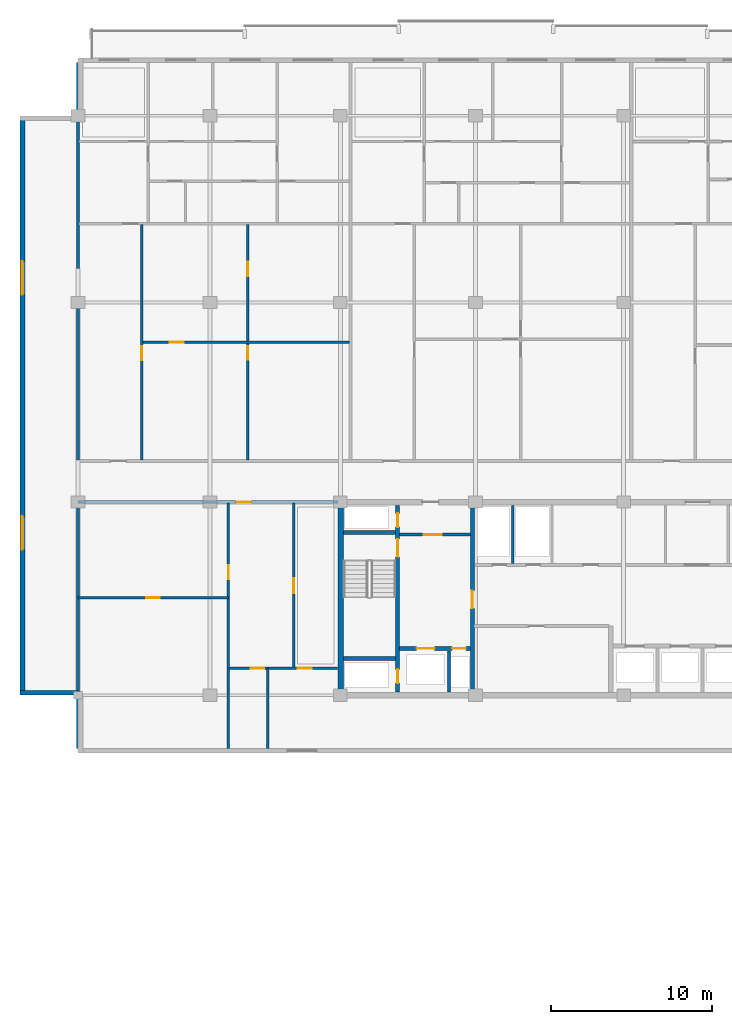
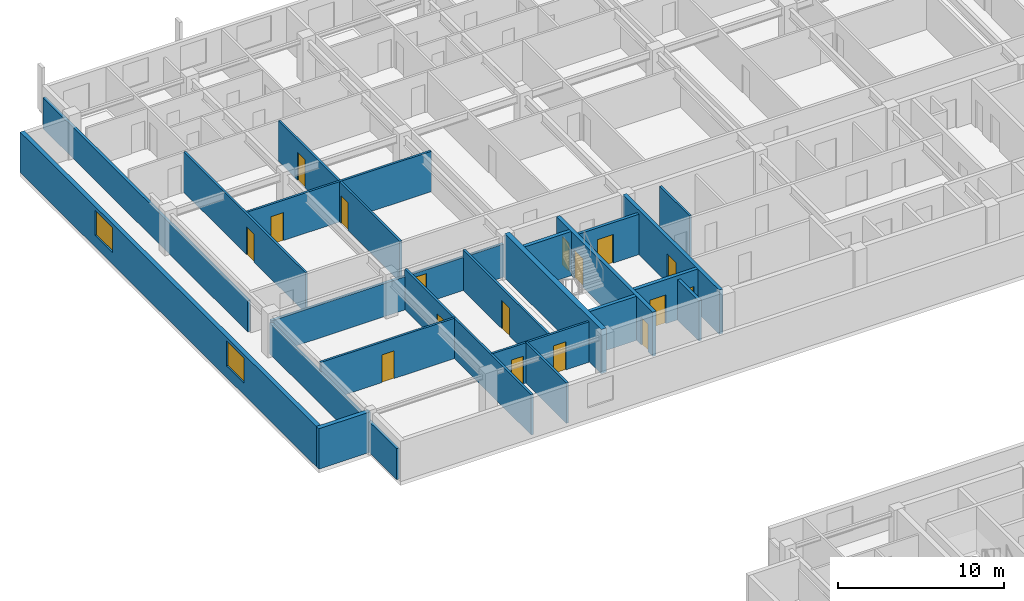
# One storey, part 11 of 24: 22 walls, 17 doors, 2 windows, 19 openings.
"""IFC4 building model written with IfcOpenShell, lengths in metres."""

from ifc_helpers import new_model, si_unit, direction, frame, frame_2d, origin, place, context, subcontext, project, spatial, rectangle, extrude, material, layer, layer_set, type_object, element, fill, save


model = new_model("IFC4")

# Units and contexts
model_context = context("Model", 3, precision=1e-05, world=origin(), true_north=direction((0.0, 1.0)))
body_context = subcontext(model_context, "Body", "Model", "MODEL_VIEW")
ifc_project = project(units=[si_unit("LENGTHUNIT", "METRE"), si_unit("AREAUNIT", "SQUARE_METRE"), si_unit("VOLUMEUNIT", "CUBIC_METRE"), si_unit("PLANEANGLEUNIT", "RADIAN"), si_unit("MASSUNIT", "GRAM", prefix="KILO")], contexts=[model_context])

# Site, building, storey
site_placement = place(None, origin())
site = spatial("IfcSite", under=ifc_project, at=site_placement, CompositionType="ELEMENT")
building_placement = place(site_placement, origin())
building = spatial("IfcBuilding", under=site, at=building_placement, Name="Korimba Cascade Residences", CompositionType="ELEMENT")
storey_placement = place(building_placement, frame((0.0, 0.0, 168.60009765625)))
storey = spatial("IfcBuildingStorey", under=building, at=storey_placement, Name="L48", CompositionType="ELEMENT", Elevation=168.60009765625)

# Wall, openings, windows
ifc_material_1 = material(Name="Precast concrete C40/50", Category="concrete")
ifc_layer_1 = layer(ifc_material_1, 0.300048828125)
ifc_layer_set_1 = layer_set([ifc_layer_1], Name="Precast concrete C40/50")
wall_type_1 = type_object("IfcWallType", Name="EW-STONE-300", PredefinedType="STANDARD", material=ifc_layer_set_1)
wall_1_placement = place(storey_placement, frame((56.35009765625, 91.199951171875, 0.0), z_axis=(0.0, 0.0, 1.0), x_axis=(0.0, -1.0, 0.0)))
wall_1 = element("IfcWall", 1, at=wall_1_placement, inside=storey, type_object=wall_type_1, Name="L48 T1 Perimeter Stone Wall E09", PredefinedType="STANDARD", context=body_context, shape_type="SweptSolid", body=[
    extrude(rectangle(XDim=36.0, YDim=0.300048828125, at=frame_2d((18.0, 0.0))), origin(), (0.0, 0.0, 1.0), 2.969970703125),
])
opening_1_placement = place(wall_1_placement, frame((9.030029296875, 0.0, 0.85009765625)))
opening_1 = element("IfcOpeningElement", 2, at=opening_1_placement, cuts=wall_1, Name="Opening W-03", PredefinedType="OPENING", context=body_context, shape_type="SweptSolid", body=[
    extrude(rectangle(XDim=2.10009765625, YDim=1.85009765625, at=frame_2d((1.050048828125, 0.925048828125))), frame((0.0, 0.16015625, 0.0), z_axis=(0.0, -1.0, 0.0), x_axis=(1.0, 0.0, 0.0)), (0.0, 0.0, 1.0), 0.320068359375),
])
opening_2_placement = place(wall_1_placement, frame((24.8701171875, 0.0, 0.85009765625)))
opening_2 = element("IfcOpeningElement", 3, at=opening_2_placement, cuts=wall_1, Name="Opening W-03", PredefinedType="OPENING", context=body_context, shape_type="SweptSolid", body=[
    extrude(rectangle(XDim=2.10009765625, YDim=1.85009765625, at=frame_2d((1.050048828125, 0.925048828125))), frame((0.0, 0.16015625, 0.0), z_axis=(0.0, -1.0, 0.0), x_axis=(1.0, 0.0, 0.0)), (0.0, 0.0, 1.0), 0.320068359375),
])
ifc_material_2 = material(Name="Double-Glazed Aluminium Window", Category="aluminium")
window_type = type_object("IfcWindowType", Name="WIN-CRN-2100", PartitioningType="DOUBLE_PANEL_HORIZONTAL", PredefinedType="WINDOW", material=ifc_material_2)
window_1_placement = place(opening_1_placement, origin())
window_1 = element("IfcWindow", 4, at=window_1_placement, inside=storey, type_object=window_type, Name="L48 T1 End View Window 9.1", OverallHeight=1.85009765625, OverallWidth=2.10009765625, PartitioningType="DOUBLE_PANEL_HORIZONTAL", PredefinedType="WINDOW", context=body_context, shape_type="SweptSolid", body=[
    extrude(rectangle(XDim=2.10009765625, YDim=1.85009765625, at=frame_2d((1.050048828125, 0.925048828125))), frame((0.0, 0.030029296875, 0.0), z_axis=(0.0, -1.0, 0.0), x_axis=(1.0, 0.0, 0.0)), (0.0, 0.0, 1.0), 0.06005859375),
])
fill(opening_1, window_1)
window_2_placement = place(opening_2_placement, origin())
window_2 = element("IfcWindow", 5, at=window_2_placement, inside=storey, type_object=window_type, Name="L48 T1 End View Window 9.2", OverallHeight=1.85009765625, OverallWidth=2.10009765625, PartitioningType="DOUBLE_PANEL_HORIZONTAL", PredefinedType="WINDOW", context=body_context, shape_type="SweptSolid", body=[
    extrude(rectangle(XDim=2.10009765625, YDim=1.85009765625, at=frame_2d((1.050048828125, 0.925048828125))), frame((0.0, 0.030029296875, 0.0), z_axis=(0.0, -1.0, 0.0), x_axis=(1.0, 0.0, 0.0)), (0.0, 0.0, 1.0), 0.06005859375),
])
fill(opening_2, window_2)

# Walls
wall_2_placement = place(storey_placement, frame((56.199951171875, 55.35009765625, 0.0), z_axis=(0.0, 0.0, 1.0), x_axis=(1.0, 0.0, 0.0)))
element("IfcWall", 6, at=wall_2_placement, inside=storey, type_object=wall_type_1, Name="L48 T1 Perimeter Stone Wall E10", PredefinedType="STANDARD", context=body_context, shape_type="SweptSolid", body=[
    extrude(rectangle(XDim=3.60009765625, YDim=0.300048828125, at=frame_2d((1.800048828125, 0.0))), origin(), (0.0, 0.0, 1.0), 2.969970703125),
])
ifc_material_3 = material(Name="Concrete C65/80", Category="concrete")
ifc_layer_2 = layer(ifc_material_3, 0.35009765625)
ifc_layer_set_2 = layer_set([ifc_layer_2], Name="Concrete C65/80")
wall_type_2 = type_object("IfcWallType", Name="WAL-CORE-350", PredefinedType="SHEAR", material=ifc_layer_set_2)
wall_3_placement = place(storey_placement, frame((76.125, 55.375, 0.0), z_axis=(0.0, 0.0, 1.0), x_axis=(0.0, 1.0, 0.0)))
element("IfcWall", 7, at=wall_3_placement, inside=storey, type_object=wall_type_2, Name="L48 Core Shear Wall CW-L48-T1-W", PredefinedType="SHEAR", context=body_context, shape_type="SweptSolid", body=[
    extrude(rectangle(XDim=11.64990234375, YDim=0.35009765625, at=frame_2d((5.824951171875, 0.0))), origin(), (0.0, 0.0, 1.0), 3.25),
])
ifc_layer_3 = layer(ifc_material_1, 0.199951171875)
ifc_layer_set_3 = layer_set([ifc_layer_3], Name="Precast concrete C40/50")
wall_type_3 = type_object("IfcWallType", Name="WAL-IT-200", PredefinedType="PARTITIONING", material=ifc_layer_set_3)
wall_4_placement = place(storey_placement, frame((59.800048828125, 51.89990234375, 0.0), z_axis=(0.0, 0.0, 1.0), x_axis=(0.0, 1.0, 0.0)))
element("IfcWall", 8, at=wall_4_placement, inside=storey, type_object=wall_type_3, Name="L48 Partition Wall WAL-L48-T1-FW-WL", PredefinedType="PARTITIONING", context=body_context, shape_type="SweptSolid", body=[
    extrude(rectangle(XDim=15.300048828125, YDim=0.199951171875, at=frame_2d((7.64990234375, 0.0))), origin(), (0.0, 0.0, 1.0), 2.277099609375),
])

# Wall, opening, door
wall_5_placement = place(storey_placement, frame((59.800048828125, 67.199951171875, 0.0), z_axis=(0.0, 0.0, 1.0), x_axis=(1.0, 0.0, 0.0)))
wall_5 = element("IfcWall", 9, at=wall_5_placement, inside=storey, type_object=wall_type_3, Name="L48 Partition Wall WAL-L48-T1-FW-N", PredefinedType="PARTITIONING", context=body_context, shape_type="SweptSolid", body=[
    extrude(rectangle(XDim=16.14990234375, YDim=0.199951171875, at=frame_2d((8.074951171875, 0.0))), origin(), (0.0, 0.0, 1.0), 2.43310546875),
])
opening_3_placement = place(wall_5_placement, frame((9.823486328125, 0.0, 0.0)))
opening_3 = element("IfcOpeningElement", 10, at=opening_3_placement, cuts=wall_5, Name="Opening D-UN1", PredefinedType="OPENING", context=body_context, shape_type="SweptSolid", body=[
    extrude(rectangle(XDim=0.949951171875, YDim=2.14990234375, at=frame_2d((0.47509765625, 1.074951171875))), frame((0.0, 0.10986328125, 0.0), z_axis=(0.0, -1.0, 0.0), x_axis=(1.0, 0.0, 0.0)), (0.0, 0.0, 1.0), 0.219970703125),
])
ifc_material_4 = material(Name="Fire-Rated Hardwood Apartment Entrance Door", Category="wood")
door_type_1 = type_object("IfcDoorType", Name="DR-FD60-950", OperationType="NOTDEFINED", PredefinedType="DOOR", material=ifc_material_4)
door_1_placement = place(opening_3_placement, origin())
door_1 = element("IfcDoor", 11, at=door_1_placement, inside=storey, type_object=door_type_1, Name="L48-T1-FW Entrance Door", OperationType="SINGLE_SWING_LEFT", OverallHeight=2.14990234375, OverallWidth=0.949951171875, PredefinedType="DOOR", context=body_context, shape_type="SweptSolid", body=[
    extrude(rectangle(XDim=0.949951171875, YDim=2.14990234375, at=frame_2d((0.47509765625, 1.074951171875))), frame((0.0, 0.02490234375, 0.0), z_axis=(0.0, -1.0, 0.0), x_axis=(1.0, 0.0, 0.0)), (0.0, 0.0, 1.0), 0.050048828125),
])
fill(opening_3, door_1)

# Walls
wall_6_placement = place(storey_placement, frame((59.800048828125, 69.830078125, 0.0), z_axis=(0.0, 0.0, 1.0), x_axis=(0.0, 1.0, 0.0)))
element("IfcWall", 12, at=wall_6_placement, inside=storey, type_object=wall_type_3, Name="L48 Partition Wall WAL-L48-T1-BNDWL", PredefinedType="PARTITIONING", context=body_context, shape_type="SweptSolid", body=[
    extrude(rectangle(XDim=24.669921875, YDim=0.199951171875, at=frame_2d((12.3349609375, 0.0))), origin(), (0.0, 0.0, 1.0), 2.277099609375),
])
ifc_material_5 = material(Name="Insulated Acoustic Stud Partition", Category="gypsum")
ifc_layer_4 = layer(ifc_material_5, 0.14990234375)
ifc_layer_set_4 = layer_set([ifc_layer_4], Name="Insulated Acoustic Stud Partition")
wall_type_4 = type_object("IfcWallType", Name="WAL-PART-150", PredefinedType="PARTITIONING", material=ifc_layer_set_4)
wall_7_placement = place(storey_placement, frame((86.800048828125, 63.39990234375, 0.0), z_axis=(0.0, 0.0, 1.0), x_axis=(0.0, 1.0, 0.0)))
element("IfcWall", 13, at=wall_7_placement, inside=storey, type_object=wall_type_4, Name="L48 Partition Wall CW-L48-T1-ERDIV", PredefinedType="PARTITIONING", context=body_context, shape_type="SweptSolid", body=[
    extrude(rectangle(XDim=3.60009765625, YDim=0.14990234375, at=frame_2d((1.800048828125, 0.0))), origin(), (0.0, 0.0, 1.0), 2.969970703125),
])

# Wall, opening, door
wall_8_placement = place(storey_placement, frame((59.800048828125, 61.25, 0.0), z_axis=(0.0, 0.0, 1.0), x_axis=(1.0, 0.0, 0.0)))
wall_8 = element("IfcWall", 14, at=wall_8_placement, inside=storey, type_object=wall_type_4, Name="L48 Partition Wall WAL-L48-T1-FW-STH", PredefinedType="PARTITIONING", context=body_context, shape_type="SweptSolid", body=[
    extrude(rectangle(XDim=9.349853515625, YDim=0.14990234375, at=frame_2d((4.6748046875, 0.0))), origin(), (0.0, 0.0, 1.0), 2.969970703125),
])
opening_4_placement = place(wall_8_placement, frame((4.2548828125, 0.0, 0.0)))
opening_4 = element("IfcOpeningElement", 15, at=opening_4_placement, cuts=wall_8, Name="Opening D-BT1", PredefinedType="OPENING", context=body_context, shape_type="SweptSolid", body=[
    extrude(rectangle(XDim=0.840087890625, YDim=2.0400390625, at=frame_2d((0.419921875, 1.02001953125))), frame((0.0, 0.0849609375, 0.0), z_axis=(0.0, -1.0, 0.0), x_axis=(1.0, 0.0, 0.0)), (0.0, 0.0, 1.0), 0.169921875),
])
ifc_material_6 = material(Name="Moisture-Resistant Bathroom Timber Door", Category="wood")
door_type_2 = type_object("IfcDoorType", Name="DR-INT-850", OperationType="NOTDEFINED", PredefinedType="DOOR", material=ifc_material_6)
door_2_placement = place(opening_4_placement, origin())
door_2 = element("IfcDoor", 16, at=door_2_placement, inside=storey, type_object=door_type_2, Name="L48-T1-FW Dressing Store Door", OperationType="SINGLE_SWING_RIGHT", OverallHeight=2.0400390625, OverallWidth=0.840087890625, PredefinedType="DOOR", context=body_context, shape_type="SweptSolid", body=[
    extrude(rectangle(XDim=0.840087890625, YDim=2.0400390625, at=frame_2d((0.419921875, 1.02001953125))), frame((0.0, 0.02490234375, 0.0), z_axis=(0.0, -1.0, 0.0), x_axis=(1.0, 0.0, 0.0)), (0.0, 0.0, 1.0), 0.050048828125),
])
fill(opening_4, door_2)

wall_9_placement = place(storey_placement, frame((69.14990234375, 51.89990234375, 0.0), z_axis=(0.0, 0.0, 1.0), x_axis=(0.0, 1.0, 0.0)))
wall_9 = element("IfcWall", 17, at=wall_9_placement, inside=storey, type_object=wall_type_4, Name="L48 Partition Wall WAL-L48-T1-FW-STV", PredefinedType="PARTITIONING", context=body_context, shape_type="SweptSolid", body=[
    extrude(rectangle(XDim=15.25, YDim=0.14990234375, at=frame_2d((7.625, 0.0))), origin(), (0.0, 0.0, 1.0), 2.969970703125),
])
opening_5_placement = place(wall_9_placement, frame((10.5, 0.0, 0.0)))
opening_5 = element("IfcOpeningElement", 18, at=opening_5_placement, cuts=wall_9, Name="Opening D-IN2", PredefinedType="OPENING", context=body_context, shape_type="SweptSolid", body=[
    extrude(rectangle(XDim=0.8798828125, YDim=2.06005859375, at=frame_2d((0.43994140625, 1.030029296875))), frame((0.0, 0.0849609375, 0.0), z_axis=(0.0, -1.0, 0.0), x_axis=(1.0, 0.0, 0.0)), (0.0, 0.0, 1.0), 0.169921875),
])
ifc_material_7 = material(Name="Acoustic Timber Bedroom Door", Category="wood")
door_type_3 = type_object("IfcDoorType", Name="DR-INT-880", OperationType="NOTDEFINED", PredefinedType="DOOR", material=ifc_material_7)
door_3_placement = place(opening_5_placement, origin())
door_3 = element("IfcDoor", 19, at=door_3_placement, inside=storey, type_object=door_type_3, Name="L48-T1-FW Study Door", OperationType="SINGLE_SWING_LEFT", OverallHeight=2.06005859375, OverallWidth=0.8798828125, PredefinedType="DOOR", context=body_context, shape_type="SweptSolid", body=[
    extrude(rectangle(XDim=0.8798828125, YDim=2.06005859375, at=frame_2d((0.43994140625, 1.030029296875))), frame((0.0, 0.02490234375, 0.0), z_axis=(0.0, -1.0, 0.0), x_axis=(1.0, 0.0, 0.0)), (0.0, 0.0, 1.0), 0.050048828125),
])
fill(opening_5, door_3)

wall_10_placement = place(storey_placement, frame((73.199951171875, 56.8701171875, 0.0), z_axis=(0.0, 0.0, 1.0), x_axis=(0.0, 1.0, 0.0)))
wall_10 = element("IfcWall", 20, at=wall_10_placement, inside=storey, type_object=wall_type_4, Name="L48 Partition Wall WAL-L48-T1-FW-VN", PredefinedType="PARTITIONING", context=body_context, shape_type="SweptSolid", body=[
    extrude(rectangle(XDim=10.27978515625, YDim=0.14990234375, at=frame_2d((5.139892578125, 0.0))), origin(), (0.0, 0.0, 1.0), 2.969970703125),
])
opening_6_placement = place(wall_10_placement, frame((4.679931640625, 0.0, 0.0)))
opening_6 = element("IfcOpeningElement", 21, at=opening_6_placement, cuts=wall_10, Name="Opening D-IN1", PredefinedType="OPENING", context=body_context, shape_type="SweptSolid", body=[
    extrude(rectangle(XDim=0.919921875, YDim=2.080078125, at=frame_2d((0.4599609375, 1.0400390625))), frame((0.0, 0.0849609375, 0.0), z_axis=(0.0, -1.0, 0.0), x_axis=(1.0, 0.0, 0.0)), (0.0, 0.0, 1.0), 0.169921875),
])
ifc_material_8 = material(Name="Acoustic Timber Living Door", Category="wood")
door_type_4 = type_object("IfcDoorType", Name="DR-INT-920", OperationType="NOTDEFINED", PredefinedType="DOOR", material=ifc_material_8)
door_4_placement = place(opening_6_placement, origin())
door_4 = element("IfcDoor", 22, at=door_4_placement, inside=storey, type_object=door_type_4, Name="L48-T1-FW Living Door", OperationType="SINGLE_SWING_RIGHT", OverallHeight=2.080078125, OverallWidth=0.919921875, PredefinedType="DOOR", context=body_context, shape_type="SweptSolid", body=[
    extrude(rectangle(XDim=0.919921875, YDim=2.080078125, at=frame_2d((0.4599609375, 1.0400390625))), frame((0.0, 0.02490234375, 0.0), z_axis=(0.0, -1.0, 0.0), x_axis=(1.0, 0.0, 0.0)), (0.0, 0.0, 1.0), 0.050048828125),
])
fill(opening_6, door_4)

# Wall
wall_11_placement = place(storey_placement, frame((71.60009765625, 51.89990234375, 0.0), z_axis=(0.0, 0.0, 1.0), x_axis=(0.0, 1.0, 0.0)))
element("IfcWall", 23, at=wall_11_placement, inside=storey, type_object=wall_type_4, Name="L48 Partition Wall WAL-L48-T1-FW-VS", PredefinedType="PARTITIONING", context=body_context, shape_type="SweptSolid", body=[
    extrude(rectangle(XDim=4.97021484375, YDim=0.14990234375, at=frame_2d((2.485107421875, 0.0))), origin(), (0.0, 0.0, 1.0), 2.969970703125),
])

# Wall, openings, doors
wall_12_placement = place(storey_placement, frame((69.169921875, 56.8701171875, 0.0), z_axis=(0.0, 0.0, 1.0), x_axis=(1.0, 0.0, 0.0)))
wall_12 = element("IfcWall", 24, at=wall_12_placement, inside=storey, type_object=wall_type_4, Name="L48 Partition Wall WAL-L48-T1-FW-H", PredefinedType="PARTITIONING", context=body_context, shape_type="SweptSolid", body=[
    extrude(rectangle(XDim=6.760009765625, YDim=0.14990234375, at=frame_2d((3.3798828125, 0.0))), origin(), (0.0, 0.0, 1.0), 2.969970703125),
])
opening_7_placement = place(wall_12_placement, frame((1.3623046875, 0.0, 0.0)))
opening_7 = element("IfcOpeningElement", 25, at=opening_7_placement, cuts=wall_12, Name="Opening D-BT1", PredefinedType="OPENING", context=body_context, shape_type="SweptSolid", body=[
    extrude(rectangle(XDim=0.840087890625, YDim=2.0400390625, at=frame_2d((0.419921875, 1.02001953125))), frame((0.0, 0.0849609375, 0.0), z_axis=(0.0, -1.0, 0.0), x_axis=(1.0, 0.0, 0.0)), (0.0, 0.0, 1.0), 0.169921875),
])
opening_8_placement = place(wall_12_placement, frame((4.276611328125, 0.0, 0.0)))
opening_8 = element("IfcOpeningElement", 26, at=opening_8_placement, cuts=wall_12, Name="Opening D-IN2", PredefinedType="OPENING", context=body_context, shape_type="SweptSolid", body=[
    extrude(rectangle(XDim=0.8798828125, YDim=2.06005859375, at=frame_2d((0.43994140625, 1.030029296875))), frame((0.0, 0.0849609375, 0.0), z_axis=(0.0, -1.0, 0.0), x_axis=(1.0, 0.0, 0.0)), (0.0, 0.0, 1.0), 0.169921875),
])
door_5_placement = place(opening_7_placement, origin())
door_5 = element("IfcDoor", 27, at=door_5_placement, inside=storey, type_object=door_type_2, Name="L48-T1-FW Bathroom Door", OperationType="SINGLE_SWING_LEFT", OverallHeight=2.0400390625, OverallWidth=0.840087890625, PredefinedType="DOOR", context=body_context, shape_type="SweptSolid", body=[
    extrude(rectangle(XDim=0.840087890625, YDim=2.0400390625, at=frame_2d((0.419921875, 1.02001953125))), frame((0.0, 0.02490234375, 0.0), z_axis=(0.0, -1.0, 0.0), x_axis=(1.0, 0.0, 0.0)), (0.0, 0.0, 1.0), 0.050048828125),
])
fill(opening_7, door_5)
door_6_placement = place(opening_8_placement, origin())
door_6 = element("IfcDoor", 28, at=door_6_placement, inside=storey, type_object=door_type_3, Name="L48-T1-FW Bedroom Door", OperationType="SINGLE_SWING_RIGHT", OverallHeight=2.06005859375, OverallWidth=0.8798828125, PredefinedType="DOOR", context=body_context, shape_type="SweptSolid", body=[
    extrude(rectangle(XDim=0.8798828125, YDim=2.06005859375, at=frame_2d((0.43994140625, 1.030029296875))), frame((0.0, 0.02490234375, 0.0), z_axis=(0.0, -1.0, 0.0), x_axis=(1.0, 0.0, 0.0)), (0.0, 0.0, 1.0), 0.050048828125),
])
fill(opening_8, door_6)

wall_13_placement = place(storey_placement, frame((70.342529296875, 69.81005859375, 0.0), z_axis=(0.0, 0.0, 1.0), x_axis=(0.0, 1.0, 0.0)))
wall_13 = element("IfcWall", 29, at=wall_13_placement, inside=storey, type_object=wall_type_4, Name="L48 Partition Wall WAL-L48-T1-U01-FMV", PredefinedType="PARTITIONING", context=body_context, shape_type="SweptSolid", body=[
    extrude(rectangle(XDim=14.64990234375, YDim=0.14990234375, at=frame_2d((7.324951171875, 0.0))), origin(), (0.0, 0.0, 1.0), 2.969970703125),
])
opening_9_placement = place(wall_13_placement, frame((6.235107421875, 0.0, 0.0)))
opening_9 = element("IfcOpeningElement", 30, at=opening_9_placement, cuts=wall_13, Name="Opening D-BT1", PredefinedType="OPENING", context=body_context, shape_type="SweptSolid", body=[
    extrude(rectangle(XDim=0.840087890625, YDim=2.0400390625, at=frame_2d((0.419921875, 1.02001953125))), frame((0.0, 0.0849609375, 0.0), z_axis=(0.0, -1.0, 0.0), x_axis=(1.0, 0.0, 0.0)), (0.0, 0.0, 1.0), 0.169921875),
])
opening_10_placement = place(wall_13_placement, frame((11.4326171875, 0.0, 0.0)))
opening_10 = element("IfcOpeningElement", 31, at=opening_10_placement, cuts=wall_13, Name="Opening D-IN2", PredefinedType="OPENING", context=body_context, shape_type="SweptSolid", body=[
    extrude(rectangle(XDim=0.8798828125, YDim=2.06005859375, at=frame_2d((0.43994140625, 1.030029296875))), frame((0.0, 0.0849609375, 0.0), z_axis=(0.0, -1.0, 0.0), x_axis=(1.0, 0.0, 0.0)), (0.0, 0.0, 1.0), 0.169921875),
])
door_7_placement = place(opening_9_placement, origin())
door_7 = element("IfcDoor", 32, at=door_7_placement, inside=storey, type_object=door_type_2, Name="L48-T1-U01 Wardrobe Door", OperationType="SINGLE_SWING_RIGHT", OverallHeight=2.0400390625, OverallWidth=0.840087890625, PredefinedType="DOOR", context=body_context, shape_type="SweptSolid", body=[
    extrude(rectangle(XDim=0.840087890625, YDim=2.0400390625, at=frame_2d((0.419921875, 1.02001953125))), frame((0.0, 0.02490234375, 0.0), z_axis=(0.0, -1.0, 0.0), x_axis=(1.0, 0.0, 0.0)), (0.0, 0.0, 1.0), 0.050048828125),
])
fill(opening_9, door_7)
door_8_placement = place(opening_10_placement, origin())
door_8 = element("IfcDoor", 33, at=door_8_placement, inside=storey, type_object=door_type_3, Name="L48-T1-U01 Music Lounge Door", OperationType="SINGLE_SWING_LEFT", OverallHeight=2.06005859375, OverallWidth=0.8798828125, PredefinedType="DOOR", context=body_context, shape_type="SweptSolid", body=[
    extrude(rectangle(XDim=0.8798828125, YDim=2.06005859375, at=frame_2d((0.43994140625, 1.030029296875))), frame((0.0, 0.02490234375, 0.0), z_axis=(0.0, -1.0, 0.0), x_axis=(1.0, 0.0, 0.0)), (0.0, 0.0, 1.0), 0.050048828125),
])
fill(opening_10, door_8)

# Wall, opening, door
wall_14_placement = place(storey_placement, frame((63.830078125, 77.135009765625, 0.0), z_axis=(0.0, 0.0, 1.0), x_axis=(1.0, 0.0, 0.0)))
wall_14 = element("IfcWall", 34, at=wall_14_placement, inside=storey, type_object=wall_type_4, Name="L48 Partition Wall WAL-L48-T1-U01-FMH", PredefinedType="PARTITIONING", context=body_context, shape_type="SweptSolid", body=[
    extrude(rectangle(XDim=12.824951171875, YDim=0.14990234375, at=frame_2d((6.41259765625, 0.0))), origin(), (0.0, 0.0, 1.0), 2.969970703125),
])
opening_11_placement = place(wall_14_placement, frame((1.666259765625, 0.0, 0.0)))
opening_11 = element("IfcOpeningElement", 35, at=opening_11_placement, cuts=wall_14, Name="Opening D-IN2", PredefinedType="OPENING", context=body_context, shape_type="SweptSolid", body=[
    extrude(rectangle(XDim=0.8798828125, YDim=2.06005859375, at=frame_2d((0.43994140625, 1.030029296875))), frame((0.0, 0.0849609375, 0.0), z_axis=(0.0, -1.0, 0.0), x_axis=(1.0, 0.0, 0.0)), (0.0, 0.0, 1.0), 0.169921875),
])
door_9_placement = place(opening_11_placement, origin())
door_9 = element("IfcDoor", 36, at=door_9_placement, inside=storey, type_object=door_type_3, Name="L48-T1-U01 Library Salon Door", OperationType="SINGLE_SWING_RIGHT", OverallHeight=2.06005859375, OverallWidth=0.8798828125, PredefinedType="DOOR", context=body_context, shape_type="SweptSolid", body=[
    extrude(rectangle(XDim=0.8798828125, YDim=2.06005859375, at=frame_2d((0.43994140625, 1.030029296875))), frame((0.0, 0.02490234375, 0.0), z_axis=(0.0, -1.0, 0.0), x_axis=(1.0, 0.0, 0.0)), (0.0, 0.0, 1.0), 0.050048828125),
])
fill(opening_11, door_9)

wall_15_placement = place(storey_placement, frame((63.77001953125, 69.81005859375, 0.0), z_axis=(0.0, 0.0, 1.0), x_axis=(0.0, 1.0, 0.0)))
wall_15 = element("IfcWall", 37, at=wall_15_placement, inside=storey, type_object=wall_type_4, Name="L48 Partition Wall WAL-L48-T1-U01-FV", PredefinedType="PARTITIONING", context=body_context, shape_type="SweptSolid", body=[
    extrude(rectangle(XDim=14.64990234375, YDim=0.14990234375, at=frame_2d((7.324951171875, 0.0))), origin(), (0.0, 0.0, 1.0), 2.969970703125),
])
opening_12_placement = place(wall_15_placement, frame((6.195068359375, 0.0, 0.0)))
opening_12 = element("IfcOpeningElement", 38, at=opening_12_placement, cuts=wall_15, Name="Opening D-IN2", PredefinedType="OPENING", context=body_context, shape_type="SweptSolid", body=[
    extrude(rectangle(XDim=0.8798828125, YDim=2.06005859375, at=frame_2d((0.43994140625, 1.030029296875))), frame((0.0, 0.0849609375, 0.0), z_axis=(0.0, -1.0, 0.0), x_axis=(1.0, 0.0, 0.0)), (0.0, 0.0, 1.0), 0.169921875),
])
door_10_placement = place(opening_12_placement, origin())
door_10 = element("IfcDoor", 39, at=door_10_placement, inside=storey, type_object=door_type_3, Name="L48-T1-U01 Media Lounge Door", OperationType="SINGLE_SWING_LEFT", OverallHeight=2.06005859375, OverallWidth=0.8798828125, PredefinedType="DOOR", context=body_context, shape_type="SweptSolid", body=[
    extrude(rectangle(XDim=0.8798828125, YDim=2.06005859375, at=frame_2d((0.43994140625, 1.030029296875))), frame((0.0, 0.02490234375, 0.0), z_axis=(0.0, -1.0, 0.0), x_axis=(1.0, 0.0, 0.0)), (0.0, 0.0, 1.0), 0.050048828125),
])
fill(opening_12, door_10)

# Wall
ifc_material_9 = material(Name="Concrete C40/50", Category="concrete")
ifc_layer_5 = layer(ifc_material_9, 0.199951171875)
ifc_layer_set_5 = layer_set([ifc_layer_5], Name="Concrete C40/50")
wall_type_5 = type_object("IfcWallType", Name="WAL-PART-200", PredefinedType="PARTITIONING", material=ifc_layer_set_5)
wall_16_placement = place(storey_placement, frame((82.85009765625, 55.39990234375, 0.0), z_axis=(0.0, 0.0, 1.0), x_axis=(0.0, 1.0, 0.0)))
element("IfcWall", 40, at=wall_16_placement, inside=storey, type_object=wall_type_5, Name="L48 Partition Wall CW-L48-T1-FFLDIV", PredefinedType="PARTITIONING", context=body_context, shape_type="SweptSolid", body=[
    extrude(rectangle(XDim=2.56005859375, YDim=0.199951171875, at=frame_2d((1.280029296875, 0.0))), origin(), (0.0, 0.0, 1.0), 2.969970703125),
])

# Wall, opening, door
wall_17_placement = place(storey_placement, frame((79.7900390625, 65.179931640625, 0.0), z_axis=(0.0, 0.0, 1.0), x_axis=(1.0, 0.0, 0.0)))
wall_17 = element("IfcWall", 41, at=wall_17_placement, inside=storey, type_object=wall_type_5, Name="L48 Partition Wall CW-L48-T1-FFLN", PredefinedType="PARTITIONING", context=body_context, shape_type="SweptSolid", body=[
    extrude(rectangle(XDim=4.389892578125, YDim=0.199951171875, at=frame_2d((2.19482421875, 0.0))), origin(), (0.0, 0.0, 1.0), 2.969970703125),
])
opening_13_placement = place(wall_17_placement, frame((1.5, 0.0, 0.0)))
opening_13 = element("IfcOpeningElement", 42, at=opening_13_placement, cuts=wall_17, Name="Opening D-FD1", PredefinedType="OPENING", context=body_context, shape_type="SweptSolid", body=[
    extrude(rectangle(XDim=1.10009765625, YDim=2.10009765625, at=frame_2d((0.550048828125, 1.050048828125))), frame((0.0, 0.10986328125, 0.0), z_axis=(0.0, -1.0, 0.0), x_axis=(1.0, 0.0, 0.0)), (0.0, 0.0, 1.0), 0.219970703125),
])
ifc_material_10 = material(Name="Fire-Rated Steel Core Door", Category="steel")
door_type_5 = type_object("IfcDoorType", Name="DR-FD120-1100", OperationType="NOTDEFINED", PredefinedType="DOOR", material=ifc_material_10)
door_11_placement = place(opening_13_placement, origin())
door_11 = element("IfcDoor", 43, at=door_11_placement, inside=storey, type_object=door_type_5, Name="L48 West Firefighting Lobby Door", OperationType="SINGLE_SWING_LEFT", OverallHeight=2.10009765625, OverallWidth=1.10009765625, PredefinedType="DOOR", context=body_context, shape_type="SweptSolid", body=[
    extrude(rectangle(XDim=1.10009765625, YDim=2.10009765625, at=frame_2d((0.550048828125, 1.050048828125))), frame((0.0, 0.02490234375, 0.0), z_axis=(0.0, -1.0, 0.0), x_axis=(1.0, 0.0, 0.0)), (0.0, 0.0, 1.0), 0.050048828125),
])
fill(opening_13, door_11)

# Wall, openings, doors
ifc_material_11 = material(Name="Concrete C50/60", Category="concrete")
ifc_layer_6 = layer(ifc_material_11, 0.25)
ifc_layer_set_6 = layer_set([ifc_layer_6], Name="Concrete C50/60")
wall_type_6 = type_object("IfcWallType", Name="WAL-SHAFT-250", PredefinedType="SHEAR", material=ifc_layer_set_6)
wall_18_placement = place(storey_placement, frame((79.6650390625, 55.39990234375, 0.0), z_axis=(0.0, 0.0, 1.0), x_axis=(0.0, 1.0, 0.0)))
wall_18 = element("IfcWall", 44, at=wall_18_placement, inside=storey, type_object=wall_type_6, Name="L48 Core Shear Wall CW-L48-T1-STW1E", PredefinedType="SHEAR", context=body_context, shape_type="SweptSolid", body=[
    extrude(rectangle(XDim=11.60009765625, YDim=0.25, at=frame_2d((5.800048828125, 0.0))), origin(), (0.0, 0.0, 1.0), 3.25),
])
opening_14_placement = place(wall_18_placement, frame((0.550048828125, 0.0, 0.0)))
opening_14 = element("IfcOpeningElement", 45, at=opening_14_placement, cuts=wall_18, Name="Opening D-RS1", PredefinedType="OPENING", context=body_context, shape_type="SweptSolid", body=[
    extrude(rectangle(XDim=0.85009765625, YDim=2.050048828125, at=frame_2d((0.425048828125, 1.02490234375))), frame((0.0, 0.135009765625, 0.0), z_axis=(0.0, -1.0, 0.0), x_axis=(1.0, 0.0, 0.0)), (0.0, 0.0, 1.0), 0.27001953125),
])
opening_15_placement = place(wall_18_placement, frame((8.39990234375, 0.0, 0.0)))
opening_15 = element("IfcOpeningElement", 46, at=opening_15_placement, cuts=wall_18, Name="Opening D-FD1", PredefinedType="OPENING", context=body_context, shape_type="SweptSolid", body=[
    extrude(rectangle(XDim=1.10009765625, YDim=2.10009765625, at=frame_2d((0.550048828125, 1.050048828125))), frame((0.0, 0.135009765625, 0.0), z_axis=(0.0, -1.0, 0.0), x_axis=(1.0, 0.0, 0.0)), (0.0, 0.0, 1.0), 0.27001953125),
])
opening_16_placement = place(wall_18_placement, frame((10.25, 0.0, 0.0)))
opening_16 = element("IfcOpeningElement", 47, at=opening_16_placement, cuts=wall_18, Name="Opening D-RS1", PredefinedType="OPENING", context=body_context, shape_type="SweptSolid", body=[
    extrude(rectangle(XDim=0.85009765625, YDim=2.050048828125, at=frame_2d((0.425048828125, 1.02490234375))), frame((0.0, 0.135009765625, 0.0), z_axis=(0.0, -1.0, 0.0), x_axis=(1.0, 0.0, 0.0)), (0.0, 0.0, 1.0), 0.27001953125),
])
door_12_placement = place(opening_15_placement, origin())
door_12 = element("IfcDoor", 48, at=door_12_placement, inside=storey, type_object=door_type_5, Name="L48 Fire Stair ST-W1 Door", OperationType="SINGLE_SWING_RIGHT", OverallHeight=2.10009765625, OverallWidth=1.10009765625, PredefinedType="DOOR", context=body_context, shape_type="SweptSolid", body=[
    extrude(rectangle(XDim=1.10009765625, YDim=2.10009765625, at=frame_2d((0.550048828125, 1.050048828125))), frame((0.0, 0.02490234375, 0.0), z_axis=(0.0, -1.0, 0.0), x_axis=(1.0, 0.0, 0.0)), (0.0, 0.0, 1.0), 0.050048828125),
])
fill(opening_15, door_12)
ifc_material_12 = material(Name="Fire-Rated Steel Riser Access Door", Category="steel")
door_type_6 = type_object("IfcDoorType", Name="DR-FD60-850", OperationType="NOTDEFINED", PredefinedType="DOOR", material=ifc_material_12)
door_13_placement = place(opening_14_placement, origin())
door_13 = element("IfcDoor", 49, at=door_13_placement, inside=storey, type_object=door_type_6, Name="L48 Smoke Riser Access Door", OperationType="SINGLE_SWING_LEFT", OverallHeight=2.050048828125, OverallWidth=0.85009765625, PredefinedType="DOOR", context=body_context, shape_type="SweptSolid", body=[
    extrude(rectangle(XDim=0.85009765625, YDim=2.050048828125, at=frame_2d((0.425048828125, 1.02490234375))), frame((0.0, 0.02490234375, 0.0), z_axis=(0.0, -1.0, 0.0), x_axis=(1.0, 0.0, 0.0)), (0.0, 0.0, 1.0), 0.050048828125),
])
fill(opening_14, door_13)
door_14_placement = place(opening_16_placement, origin())
door_14 = element("IfcDoor", 50, at=door_14_placement, inside=storey, type_object=door_type_6, Name="L48 Hydrant Riser Access Door", OperationType="SINGLE_SWING_LEFT", OverallHeight=2.050048828125, OverallWidth=0.85009765625, PredefinedType="DOOR", context=body_context, shape_type="SweptSolid", body=[
    extrude(rectangle(XDim=0.85009765625, YDim=2.050048828125, at=frame_2d((0.425048828125, 1.02490234375))), frame((0.0, 0.02490234375, 0.0), z_axis=(0.0, -1.0, 0.0), x_axis=(1.0, 0.0, 0.0)), (0.0, 0.0, 1.0), 0.050048828125),
])
fill(opening_16, door_14)

# Walls
for number, where, z_axis, x_axis, name in (
    (51, (76.300048828125, 57.47509765625, 0.0), (0.0, 0.0, 1.0), (1.0, 0.0, 0.0), "L48 Core Shear Wall CW-L48-T1-STW1S"),
    (52, (76.300048828125, 65.324951171875, 0.0), (0.0, 0.0, 1.0), (1.0, 0.0, 0.0), "L48 Core Shear Wall CW-L48-T1-STW1N"),
):
    element("IfcWall", number, at=place(storey_placement, frame(where, z_axis=z_axis, x_axis=x_axis)), inside=storey, type_object=wall_type_6, Name=name, PredefinedType="SHEAR", context=body_context, shape_type="SweptSolid", body=[
        extrude(rectangle(XDim=3.239990234375, YDim=0.25, at=frame_2d((1.6201171875, 0.0))), origin(), (0.0, 0.0, 1.0), 3.25),
    ])

# Wall, openings, doors
wall_19_placement = place(storey_placement, frame((79.7900390625, 58.10009765625, 0.0), z_axis=(0.0, 0.0, 1.0), x_axis=(1.0, 0.0, 0.0)))
wall_19 = element("IfcWall", 53, at=wall_19_placement, inside=storey, type_object=wall_type_6, Name="L48 Core Shear Wall CW-L48-T1-FFLS", PredefinedType="SHEAR", context=body_context, shape_type="SweptSolid", body=[
    extrude(rectangle(XDim=4.389892578125, YDim=0.25, at=frame_2d((2.19482421875, 0.0))), origin(), (0.0, 0.0, 1.0), 3.25),
])
opening_17_placement = place(wall_19_placement, frame((1.050048828125, 0.0, 0.0)))
opening_17 = element("IfcOpeningElement", 54, at=opening_17_placement, cuts=wall_19, Name="Opening LD-01", PredefinedType="OPENING", context=body_context, shape_type="SweptSolid", body=[
    extrude(rectangle(XDim=1.1201171875, YDim=2.1201171875, at=frame_2d((0.56005859375, 1.06005859375))), frame((0.0, 0.135009765625, 0.0), z_axis=(0.0, -1.0, 0.0), x_axis=(1.0, 0.0, 0.0)), (0.0, 0.0, 1.0), 0.27001953125),
])
opening_18_placement = place(wall_19_placement, frame((3.260009765625, 0.0, 0.0)))
opening_18 = element("IfcOpeningElement", 55, at=opening_18_placement, cuts=wall_19, Name="Opening D-RS1", PredefinedType="OPENING", context=body_context, shape_type="SweptSolid", body=[
    extrude(rectangle(XDim=0.85009765625, YDim=2.050048828125, at=frame_2d((0.425048828125, 1.02490234375))), frame((0.0, 0.135009765625, 0.0), z_axis=(0.0, -1.0, 0.0), x_axis=(1.0, 0.0, 0.0)), (0.0, 0.0, 1.0), 0.27001953125),
])
door_15_placement = place(opening_18_placement, origin())
door_15 = element("IfcDoor", 56, at=door_15_placement, inside=storey, type_object=door_type_6, Name="L48 Pressurisation Riser Door", OperationType="SINGLE_SWING_RIGHT", OverallHeight=2.050048828125, OverallWidth=0.85009765625, PredefinedType="DOOR", context=body_context, shape_type="SweptSolid", body=[
    extrude(rectangle(XDim=0.85009765625, YDim=2.050048828125, at=frame_2d((0.425048828125, 1.02490234375))), frame((0.0, 0.02490234375, 0.0), z_axis=(0.0, -1.0, 0.0), x_axis=(1.0, 0.0, 0.0)), (0.0, 0.0, 1.0), 0.050048828125),
])
fill(opening_18, door_15)
ifc_material_13 = material(Name="Stainless Steel Lift Landing Sliding Door", Category="steel")
door_type_7 = type_object("IfcDoorType", Name="DR-LIFT-1100", OperationType="NOTDEFINED", PredefinedType="DOOR", material=ifc_material_13)
door_16_placement = place(opening_17_placement, origin())
door_16 = element("IfcDoor", 57, at=door_16_placement, inside=storey, type_object=door_type_7, Name="L48 Firefighting Lift Landing Door FFL-W1", OperationType="SLIDING_TO_LEFT", OverallHeight=2.1201171875, OverallWidth=1.1201171875, PredefinedType="DOOR", context=body_context, shape_type="SweptSolid", body=[
    extrude(rectangle(XDim=1.1201171875, YDim=2.1201171875, at=frame_2d((0.56005859375, 1.06005859375))), frame((0.0, 0.02490234375, 0.0), z_axis=(0.0, -1.0, 0.0), x_axis=(1.0, 0.0, 0.0)), (0.0, 0.0, 1.0), 0.050048828125),
])
fill(opening_17, door_16)

# Wall, opening, door
wall_20_placement = place(storey_placement, frame((84.300048828125, 55.39990234375, 0.0), z_axis=(0.0, 0.0, 1.0), x_axis=(0.0, 1.0, 0.0)))
wall_20 = element("IfcWall", 58, at=wall_20_placement, inside=storey, type_object=wall_type_6, Name="L48 Core Shear Wall CW-L48-T1-FFLE", PredefinedType="SHEAR", context=body_context, shape_type="SweptSolid", body=[
    extrude(rectangle(XDim=11.60009765625, YDim=0.25, at=frame_2d((5.800048828125, 0.0))), origin(), (0.0, 0.0, 1.0), 3.25),
])
opening_19_placement = place(wall_20_placement, frame((5.199951171875, 0.0, 0.0)))
opening_19 = element("IfcOpeningElement", 59, at=opening_19_placement, cuts=wall_20, Name="Opening D-FD1", PredefinedType="OPENING", context=body_context, shape_type="SweptSolid", body=[
    extrude(rectangle(XDim=1.10009765625, YDim=2.10009765625, at=frame_2d((0.550048828125, 1.050048828125))), frame((0.0, 0.135009765625, 0.0), z_axis=(0.0, -1.0, 0.0), x_axis=(1.0, 0.0, 0.0)), (0.0, 0.0, 1.0), 0.27001953125),
])
door_17_placement = place(opening_19_placement, origin())
door_17 = element("IfcDoor", 60, at=door_17_placement, inside=storey, type_object=door_type_5, Name="L48 Firefighting Lobby to Lift Lobby Door", OperationType="SINGLE_SWING_RIGHT", OverallHeight=2.10009765625, OverallWidth=1.10009765625, PredefinedType="DOOR", context=body_context, shape_type="SweptSolid", body=[
    extrude(rectangle(XDim=1.10009765625, YDim=2.10009765625, at=frame_2d((0.550048828125, 1.050048828125))), frame((0.0, 0.02490234375, 0.0), z_axis=(0.0, -1.0, 0.0), x_axis=(1.0, 0.0, 0.0)), (0.0, 0.0, 1.0), 0.050048828125),
])
fill(opening_19, door_17)

save(model, "model.ifc")
